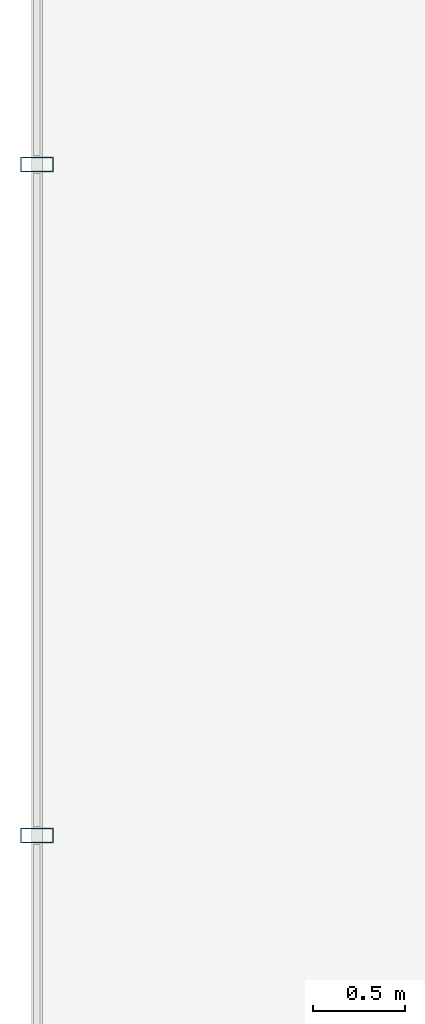
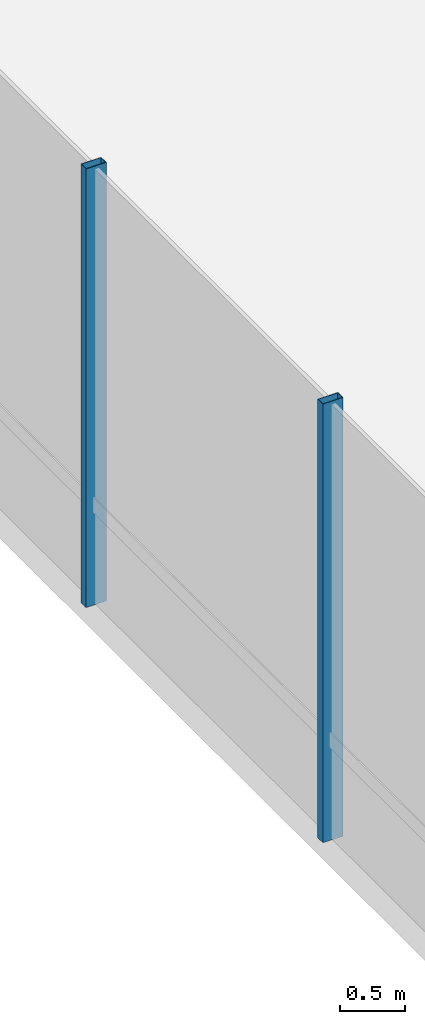
# One storey, part 7 of 37: 2 members, 1 element without a shape of its own.
"""IFC4 building model written with IfcOpenShell, lengths in metres."""

from ifc_helpers import new_model, si_unit, direction, frame, origin, origin_2d, place, context, subcontext, project, spatial, hollow_rectangle, extrude, material, layer, layer_set, material_profile, profile_set, type_object, element, aggregate, save


model = new_model("IFC4")

# Units and contexts
model_context = context("Model", 3, precision=1e-05, world=origin(), true_north=direction((0.0, 1.0)))
body_context = subcontext(model_context, "Body", "Model", "MODEL_VIEW")
ifc_project = project(units=[si_unit("LENGTHUNIT", "METRE"), si_unit("AREAUNIT", "SQUARE_METRE"), si_unit("VOLUMEUNIT", "CUBIC_METRE"), si_unit("PLANEANGLEUNIT", "RADIAN"), si_unit("MASSUNIT", "GRAM", prefix="KILO")], contexts=[model_context])

# Site, building, storey
site_placement = place(None, origin())
site = spatial("IfcSite", under=ifc_project, at=site_placement, CompositionType="ELEMENT")
building_placement = place(site_placement, origin())
building = spatial("IfcBuilding", under=site, at=building_placement, Name="Zarrinselat Tower", CompositionType="ELEMENT")
storey_placement = place(building_placement, frame((0.0, 0.0, 13.93994140625)))
storey = spatial("IfcBuildingStorey", under=building, at=storey_placement, Name="L03", CompositionType="ELEMENT", Elevation=13.93994140625)

# Curtain wall, members
ifc_material_1 = material(Name="Extruded Aluminium Alloy EN AW-6063 T6", Category="aluminium")
ifc_layer = layer(ifc_material_1, 0.2099609375)
ifc_layer_set = layer_set([ifc_layer], Name="Extruded Aluminium Alloy EN AW-6063 T6")
curtain_wall_type = type_object("IfcCurtainWallType", Name="CWS-POD", PredefinedType="NOTDEFINED", material=ifc_layer_set)
curtain_wall_placement = place(storey_placement, origin())
curtain_wall = element("IfcCurtainWall", 1, at=curtain_wall_placement, inside=storey, type_object=curtain_wall_type, Name="L03 Unitised Curtain Wall CW-L03-F7", PredefinedType="NOTDEFINED")
ifc_material_2 = material(Name="Extruded Aluminium Alloy EN AW-6063 T6", Category="aluminium")
ifc_material_profile = material_profile(ifc_material_2, hollow_rectangle(XDim=0.080078125, YDim=0.179931640625, WallThickness=0.0048828125, at=origin_2d()), Name="RHS 180x80x5")
ifc_profile_set = profile_set([ifc_material_profile], Name="Extruded Aluminium Alloy EN AW-6063 T6")
member_type = type_object("IfcMemberType", Name="MEM-CW-MUL", PredefinedType="MULLION", material=ifc_profile_set)
member_1_placement = place(storey_placement, frame((2.39990234375, 28.699951171875, 0.0), z_axis=(0.0, 0.0, 1.0), x_axis=(0.0, -1.0, 0.0)))
member_1 = element("IfcMember", 2, at=member_1_placement, type_object=member_type, Name="CW-L03-F7 Mullion 5", PredefinedType="MULLION", context=body_context, shape_type="SweptSolid", body=[
    extrude(hollow_rectangle(XDim=0.080078125, YDim=0.179931640625, WallThickness=0.0048828125, at=origin_2d()), origin(), (0.0, 0.0, 1.0), 4.14013671875),
])
member_2_placement = place(storey_placement, frame((2.39990234375, 25.0400390625, 0.0), z_axis=(0.0, 0.0, 1.0), x_axis=(0.0, -1.0, 0.0)))
member_2 = element("IfcMember", 3, at=member_2_placement, type_object=member_type, Name="CW-L03-F7 Mullion 6", PredefinedType="MULLION", context=body_context, shape_type="SweptSolid", body=[
    extrude(hollow_rectangle(XDim=0.080078125, YDim=0.179931640625, WallThickness=0.0048828125, at=origin_2d()), origin(), (0.0, 0.0, 1.0), 4.14013671875),
])
aggregate(curtain_wall, [member_1, member_2])

save(model, "model.ifc")
